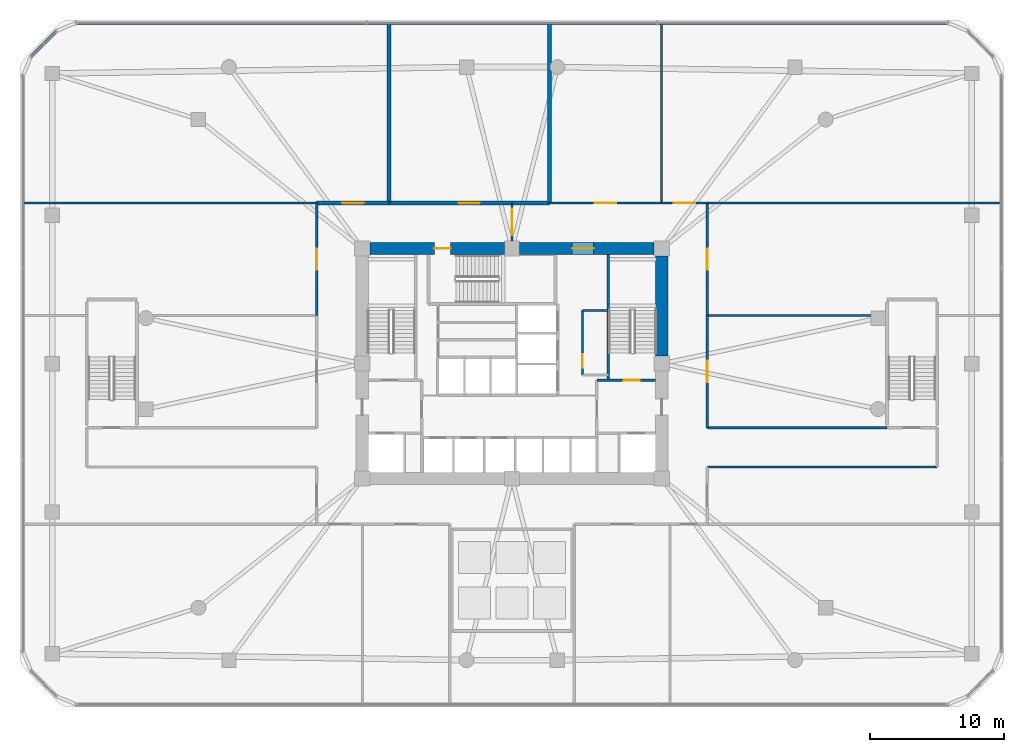
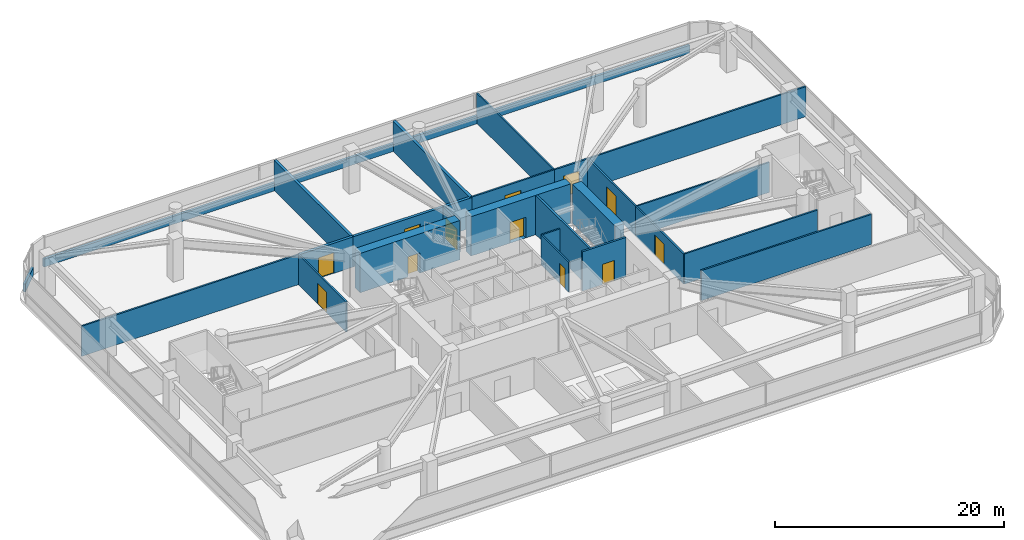
# One storey, part 18 of 21: 25 walls, 12 doors, 12 openings.
"""IFC4 building model written with IfcOpenShell, lengths in metres."""

import ifcopenshell
import ifcopenshell.guid

model = None  # the IFC model being written
_history = None  # IfcOwnerHistory: only IFC2X3 demands one
_inside = {}  # id of a spatial element -> (the spatial element, [elements in it])
_under = {}  # id of a project, library or spatial element -> (it, [spatial elements below it])
_declared = {}  # id of a project -> (the project, [libraries it declares])
_typed = {}  # id of a type object -> (the type object, [elements of that type])
_made_of = {}  # id of a material, layer set ... -> (it, [elements and type objects made of it])


def new_model(schema):
    """Start an empty IFC model of exactly this schema.

    Asked for "IFC4X3", IfcOpenShell would pick the latest addendum, in which some entities
    have other attributes; the version numbers below select the first issue.
    IFC2X3 requires an IfcOwnerHistory on every rooted entity: one is made here for all.
    """
    global model, _history
    if schema == "IFC4X3":
        model = ifcopenshell.file(schema_version=(4, 3, 0, 0))
    else:
        model = ifcopenshell.file(schema=schema)
    _inside.clear()
    _under.clear()
    _declared.clear()
    _typed.clear()
    _made_of.clear()
    _history = None
    if model.schema == "IFC2X3":
        org = make("IfcOrganization", Name="unknown")
        user = make(
            "IfcPersonAndOrganization",
            ThePerson=make("IfcPerson", FamilyName="unknown"),
            TheOrganization=org,
        )
        app = make(
            "IfcApplication",
            ApplicationDeveloper=org,
            Version="unknown",
            ApplicationFullName="unknown",
            ApplicationIdentifier="unknown",
        )
        _history = make(
            "IfcOwnerHistory",
            OwningUser=user,
            OwningApplication=app,
            ChangeAction="ADDED",
            CreationDate=0,
        )
    return model


def make(cls, **values):
    """One entity of the class cls with the attributes given. An attribute that is None is left unset."""
    return model.create_entity(
        cls, **{name: value for name, value in values.items() if value is not None}
    )


def rooted(cls, **values):
    """An entity with a GlobalId (a new one), such as an element, a storey or a relation."""
    return make(cls, GlobalId=ifcopenshell.guid.new(), OwnerHistory=_history, **values)


def si_unit(unit_type, name, prefix=None):
    """IfcSIUnit, for example si_unit("LENGTHUNIT", "METRE", prefix="MILLI")."""
    return make("IfcSIUnit", UnitType=unit_type, Prefix=prefix, Name=name)


def derived_unit(unit_type, elements):
    """IfcDerivedUnit: a product of units, each with its exponent."""
    return make(
        "IfcDerivedUnit",
        Elements=[
            make("IfcDerivedUnitElement", Unit=unit, Exponent=power)
            for unit, power in elements
        ],
        UnitType=unit_type,
    )


def assignment(units):
    """IfcUnitAssignment: the units of a project."""
    return None if units is None else make("IfcUnitAssignment", Units=units)


def point(xyz):
    """IfcCartesianPoint."""
    return None if xyz is None else make("IfcCartesianPoint", Coordinates=xyz)


def direction(xyz):
    """IfcDirection."""
    return None if xyz is None else make("IfcDirection", DirectionRatios=xyz)


def frame(location, z_axis=None, x_axis=None):
    """IfcAxis2Placement3D, a coordinate frame: its origin and axes. An axis left out is left unset."""
    return make(
        "IfcAxis2Placement3D",
        Location=point(location),
        Axis=direction(z_axis),
        RefDirection=direction(x_axis),
    )


def frame_2d(location, x_axis=None):
    """IfcAxis2Placement2D, a coordinate frame in the plane: its origin and x axis."""
    return make(
        "IfcAxis2Placement2D", Location=point(location), RefDirection=direction(x_axis)
    )


def origin():
    """The frame at (0, 0, 0) with its axes left unset."""
    return frame((0.0, 0.0, 0.0))


def place(relative_to, where):
    """IfcLocalPlacement: puts the frame where relative to a parent placement (None: the world)."""
    return make(
        "IfcLocalPlacement", PlacementRelTo=relative_to, RelativePlacement=where
    )


def context(
    kind, dimensions, precision=None, world=None, true_north=None, identifier=None
):
    """IfcGeometricRepresentationContext, for example the 3D "Model" context."""
    return make(
        "IfcGeometricRepresentationContext",
        ContextIdentifier=identifier,
        ContextType=kind,
        CoordinateSpaceDimension=dimensions,
        Precision=precision,
        WorldCoordinateSystem=world,
        TrueNorth=true_north,
    )


def subcontext(parent, identifier, kind, view, scale=None):
    """IfcGeometricRepresentationSubContext, for example "Body" below "Model"."""
    return make(
        "IfcGeometricRepresentationSubContext",
        ContextIdentifier=identifier,
        ContextType=kind,
        ParentContext=parent,
        TargetScale=scale,
        TargetView=view,
    )


def project(units=None, contexts=None):
    """IfcProject with its units and contexts."""
    return rooted(
        "IfcProject",
        Name="project",
        RepresentationContexts=contexts,
        UnitsInContext=assignment(units),
    )


def spatial(cls, under=None, at=None, **own):
    """A site, building, storey or space (cls), placed at a placement, below another one or the project."""
    s = rooted(cls, ObjectPlacement=at, **own)
    if under is not None:
        _under.setdefault(under.id(), (under, []))[1].append(s)
    return s


def profile(cls, at=None, kind="AREA", **sizes):
    """A parametric profile (cls). Its sizes go by their IFC names, for example OverallWidth=200.0."""
    return make(cls, ProfileType=kind, Position=at, **sizes)


def rectangle(**sizes):
    """IfcRectangleProfileDef."""
    return profile("IfcRectangleProfileDef", **sizes)


def extrude(swept, where, along, depth):
    """IfcExtrudedAreaSolid: the profile swept, set in the frame where, extruded along a direction by depth."""
    return make(
        "IfcExtrudedAreaSolid",
        SweptArea=swept,
        Position=where,
        ExtrudedDirection=direction(along),
        Depth=depth,
    )


def shape(context_of_items, identifier, shape_type, items):
    """IfcShapeRepresentation: the items that make up one representation, for example the "Body"."""
    return make(
        "IfcShapeRepresentation",
        ContextOfItems=context_of_items,
        RepresentationIdentifier=identifier,
        RepresentationType=shape_type,
        Items=items,
    )


def material(Name=None, Category=None):
    """IfcMaterial."""
    return make("IfcMaterial", Name=Name, Category=Category)


def layer(
    of_material, thickness, ventilated=None, Name=None, Category=None, Priority=None
):
    """IfcMaterialLayer: one layer of a wall or slab, of a material (None: an air gap)."""
    return make(
        "IfcMaterialLayer",
        Material=of_material,
        LayerThickness=thickness,
        IsVentilated=ventilated,
        Name=Name,
        Category=Category,
        Priority=Priority,
    )


def layer_set(layers, Name=None):
    """IfcMaterialLayerSet."""
    return make("IfcMaterialLayerSet", MaterialLayers=layers, LayerSetName=Name)


def made_of(thing, what):
    """Note that an element or type object is made of a material, layer set ...; save() writes the relation."""
    if what is not None:
        _made_of.setdefault(what.id(), (what, []))[1].append(thing)
    return thing


def type_object(cls, material=None, **own):
    """A type object (cls), such as IfcWallType, which elements share."""
    return made_of(rooted(cls, **own), material)


def element(
    cls,
    number,
    at=None,
    inside=None,
    cuts=None,
    type_object=None,
    material=None,
    context=None,
    identifier="Body",
    shape_type=None,
    held_by="IfcProductDefinitionShape",
    body=None,
    shapes=None,
    **own,
):
    """One element of the class cls, such as IfcWall. Its Tag is "e" and its number.

    at: its placement. inside: the storey or other place that contains it. cuts: it is an
    opening in that element (IfcRelVoidsElement). A single representation is given by context,
    identifier, shape_type and body (its items); several are given by shapes. held_by: the class
    of the entity that holds the representations. save() writes the other relations.
    """
    e = rooted(cls, Tag="e%d" % number, ObjectPlacement=at, **own)
    if body is not None:
        shapes = [shape(context, identifier, shape_type, body)]
    if shapes is not None:
        e.Representation = make(held_by, Representations=shapes)
    if inside is not None:
        _inside.setdefault(inside.id(), (inside, []))[1].append(e)
    if cuts is not None:
        rooted(
            "IfcRelVoidsElement", RelatingBuildingElement=cuts, RelatedOpeningElement=e
        )
    if type_object is not None:
        _typed.setdefault(type_object.id(), (type_object, []))[1].append(e)
    return made_of(e, material)


def fill(opening, filler):
    """IfcRelFillsElement: the door or window that sits in an opening."""
    return rooted(
        "IfcRelFillsElement",
        RelatingOpeningElement=opening,
        RelatedBuildingElement=filler,
    )


def aggregate(whole, parts):
    """IfcRelAggregates: a whole, such as a stair, and the parts it consists of."""
    return rooted("IfcRelAggregates", RelatingObject=whole, RelatedObjects=parts)


def save(model, path):
    """Write the relations noted so far, then the file.

    IfcRelAggregates (storeys below a building ...), IfcRelContainedInSpatialStructure (elements
    in a storey), IfcRelDefinesByType, IfcRelAssociatesMaterial and IfcRelDeclares: one each for
    every whole, place, type object, material and project.
    """
    for whole, parts in _under.values():
        aggregate(whole, parts)
    for where, things in _inside.values():
        rooted(
            "IfcRelContainedInSpatialStructure",
            RelatedElements=things,
            RelatingStructure=where,
        )
    for kind, things in _typed.values():
        rooted("IfcRelDefinesByType", RelatedObjects=things, RelatingType=kind)
    for what, things in _made_of.values():
        rooted("IfcRelAssociatesMaterial", RelatedObjects=things, RelatingMaterial=what)
    for by, libraries in _declared.values():
        rooted("IfcRelDeclares", RelatingContext=by, RelatedDefinitions=libraries)
    model.write(path)


model = new_model("IFC4")

# Units and contexts
model_context = context("Model", 3, precision=1e-05, world=origin(), true_north=direction((0.0, 1.0)))
body_context = subcontext(model_context, "Body", "Model", "MODEL_VIEW")
ifc_project = project(units=[si_unit("LENGTHUNIT", "METRE"), si_unit("AREAUNIT", "SQUARE_METRE"), si_unit("VOLUMEUNIT", "CUBIC_METRE"), si_unit("PLANEANGLEUNIT", "RADIAN"), si_unit("MASSUNIT", "GRAM", prefix="KILO"), derived_unit("THERMALTRANSMITTANCEUNIT", [(si_unit("POWERUNIT", "WATT"), 1), (si_unit("LENGTHUNIT", "METRE"), -2), (si_unit("THERMODYNAMICTEMPERATUREUNIT", "KELVIN"), -1)])], contexts=[model_context])

# Site, building, storey
site_placement = place(None, origin())
site = spatial("IfcSite", under=ifc_project, at=site_placement, CompositionType="ELEMENT")
building_placement = place(site_placement, origin())
building = spatial("IfcBuilding", under=site, at=building_placement, Name="Koralith Skygarden Medical Center", CompositionType="ELEMENT")
storey_placement = place(building_placement, frame((0.0, 0.0, 9.89990234375)))
storey = spatial("IfcBuildingStorey", under=building, at=storey_placement, Name="L02", CompositionType="ELEMENT", Elevation=9.89990234375)

# Wall, opening, door
ifc_material_1 = material(Name="Gypsum Board Partition")
ifc_layer_1 = layer(ifc_material_1, 0.14990234375)
ifc_layer_set_1 = layer_set([ifc_layer_1], Name="Gypsum Board Partition")
wall_type_1 = type_object("IfcWallType", Name="Clinical Acoustic Partition 150", PredefinedType="PARTITIONING", material=ifc_layer_set_1)
wall_1_placement = place(storey_placement, frame((42.27001953125, 25.0400390625, 0.0), z_axis=(0.0, 0.0, 1.0), x_axis=(0.0, 1.0, 0.0)))
wall_1 = element("IfcWall", 1, at=wall_1_placement, inside=storey, type_object=wall_type_1, Name="L02 Clinical Acoustic Partition 150 W-CORE-L02-ESUB-W", PredefinedType="PARTITIONING", context=body_context, shape_type="SweptSolid", body=[
    extrude(rectangle(XDim=4.820068359375, YDim=0.14990234375, at=frame_2d((2.41015625, 0.0))), origin(), (0.0, 0.0, 1.0), 3.210205078125),
])
opening_1_placement = place(wall_1_placement, frame((0.550048828125, 0.0, 0.0)))
opening_1 = element("IfcOpeningElement", 2, at=opening_1_placement, cuts=wall_1, Name="Opening D-SUP", PredefinedType="OPENING", context=body_context, shape_type="SweptSolid", body=[
    extrude(rectangle(XDim=1.0, YDim=2.14990234375, at=frame_2d((0.5, 1.074951171875))), frame((0.0, 0.0849609375, 0.0), z_axis=(0.0, -1.0, 0.0), x_axis=(1.0, 0.0, 0.0)), (0.0, 0.0, 1.0), 0.169921875),
])
ifc_material_2 = material(Name="Aluminium 6063-T6", Category="aluminium")
door_type_1 = type_object("IfcDoorType", Name="Clinical Support Door D-SUP 1000", OperationType="NOTDEFINED", PredefinedType="DOOR", material=ifc_material_2)
door_1_placement = place(opening_1_placement, origin())
door_1 = element("IfcDoor", 3, at=door_1_placement, inside=storey, type_object=door_type_1, Name="L02 Core Equipment Store Door", OperationType="SINGLE_SWING_LEFT", OverallHeight=2.14990234375, OverallWidth=1.0, PredefinedType="DOOR", context=body_context, shape_type="SweptSolid", body=[
    extrude(rectangle(XDim=1.0, YDim=2.14990234375, at=frame_2d((0.5, 1.074951171875))), frame((0.0, 0.02490234375, 0.0), z_axis=(0.0, -1.0, 0.0), x_axis=(1.0, 0.0, 0.0)), (0.0, 0.0, 1.0), 0.050048828125),
])
fill(opening_1, door_1)

# Walls
wall_2_placement = place(storey_placement, frame((42.27001953125, 29.860107421875, 0.0), z_axis=(0.0, 0.0, 1.0), x_axis=(1.0, 0.0, 0.0)))
element("IfcWall", 4, at=wall_2_placement, inside=storey, type_object=wall_type_1, Name="L02 Clinical Acoustic Partition 150 W-CORE-L02-ESUB-N", PredefinedType="PARTITIONING", context=body_context, shape_type="SweptSolid", body=[
    extrude(rectangle(XDim=1.929931640625, YDim=0.14990234375, at=frame_2d((0.96484375, 0.0))), origin(), (0.0, 0.0, 1.0), 3.210205078125),
])
wall_3_placement = place(storey_placement, frame((48.199951171875, 37.909912109375, 0.0), z_axis=(0.0, 0.0, 1.0), x_axis=(0.0, 1.0, 0.0)))
element("IfcWall", 5, at=wall_3_placement, inside=storey, type_object=wall_type_1, Name="L02 Clinical Acoustic Partition 150 W-PDPART-L02-N-3", PredefinedType="PARTITIONING", context=body_context, shape_type="SweptSolid", body=[
    extrude(rectangle(XDim=13.4501953125, YDim=0.14990234375, at=frame_2d((6.72509765625, 0.0))), origin(), (0.0, 0.0, 1.0), 3.210205078125),
])
wall_4_placement = place(storey_placement, frame((51.610107421875, 29.5, 0.0), z_axis=(0.0, 0.0, 1.0), x_axis=(1.0, 0.0, 0.0)))
element("IfcWall", 6, at=wall_4_placement, inside=storey, type_object=wall_type_1, Name="L02 Clinical Acoustic Partition 150 W-PDPART-L02-E-NA", PredefinedType="PARTITIONING", context=body_context, shape_type="SweptSolid", body=[
    extrude(rectangle(XDim=13.43994140625, YDim=0.14990234375, at=frame_2d((6.719970703125, 0.0))), origin(), (0.0, 0.0, 1.0), 3.210205078125),
])
ifc_layer_2 = layer(ifc_material_1, 0.1650390625)
ifc_layer_set_2 = layer_set([ifc_layer_2], Name="Gypsum Board Partition")
wall_type_2 = type_object("IfcWallType", Name="Clinical Corridor Partition 165", PredefinedType="PARTITIONING", material=ifc_layer_set_2)
for number, where, z_axis, x_axis, name in (
    (7, (0.43994140625, 37.909912109375, 0.0), (0.0, 0.0, 1.0), (1.0, 0.0, 0.0), "L02 Clinical Corridor Partition 165 W-WB-L02-NW"),
    (8, (51.610107421875, 37.909912109375, 0.0), (0.0, 0.0, 1.0), (1.0, 0.0, 0.0), "L02 Clinical Corridor Partition 165 W-WB-L02-NE"),
):
    element("IfcWall", number, at=place(storey_placement, frame(where, z_axis=z_axis, x_axis=x_axis)), inside=storey, type_object=wall_type_2, Name=name, PredefinedType="PARTITIONING", context=body_context, shape_type="SweptSolid", body=[
        extrude(rectangle(XDim=21.949951171875, YDim=0.1650390625, at=frame_2d((10.97509765625, 0.0))), origin(), (0.0, 0.0, 1.0), 3.210205078125),
    ])
wall_5_placement = place(storey_placement, frame((51.610107421875, 18.169921875, 0.0), z_axis=(0.0, 0.0, 1.0), x_axis=(1.0, 0.0, 0.0)))
element("IfcWall", 9, at=wall_5_placement, inside=storey, type_object=wall_type_2, Name="L02 Clinical Corridor Partition 165 W-PARM-L02-ES", PredefinedType="PARTITIONING", context=body_context, shape_type="SweptSolid", body=[
    extrude(rectangle(XDim=17.18994140625, YDim=0.1650390625, at=frame_2d((8.594970703125, 0.0))), origin(), (0.0, 0.0, 1.0), 3.210205078125),
])
wall_6_placement = place(storey_placement, frame((51.610107421875, 21.10009765625, 0.0), z_axis=(0.0, 0.0, 1.0), x_axis=(1.0, 0.0, 0.0)))
element("IfcWall", 10, at=wall_6_placement, inside=storey, type_object=wall_type_2, Name="L02 Clinical Corridor Partition 165 W-PARM-L02-EN", PredefinedType="PARTITIONING", context=body_context, shape_type="SweptSolid", body=[
    extrude(rectangle(XDim=13.43994140625, YDim=0.1650390625, at=frame_2d((6.719970703125, 0.0))), origin(), (0.0, 0.0, 1.0), 3.210205078125),
])

# Wall, opening, door
wall_7_placement = place(storey_placement, frame((39.800048828125, 37.909912109375, 0.0), z_axis=(0.0, 0.0, 1.0), x_axis=(1.0, 0.0, 0.0)))
wall_7 = element("IfcWall", 11, at=wall_7_placement, inside=storey, type_object=wall_type_2, Name="L02 Clinical Corridor Partition 165 W-PDCOR-L02-N-3", PredefinedType="PARTITIONING", context=body_context, shape_type="SweptSolid", body=[
    extrude(rectangle(XDim=8.39990234375, YDim=0.1650390625, at=frame_2d((4.199951171875, 0.0))), origin(), (0.0, 0.0, 1.0), 3.210205078125),
])
opening_2_placement = place(wall_7_placement, frame((3.39990234375, 0.0, 0.0)))
opening_2 = element("IfcOpeningElement", 12, at=opening_2_placement, cuts=wall_7, Name="Opening D-DBL", PredefinedType="OPENING", context=body_context, shape_type="SweptSolid", body=[
    extrude(rectangle(XDim=1.60009765625, YDim=2.199951171875, at=frame_2d((0.800048828125, 1.10009765625))), frame((0.0, 0.092529296875, 0.0), z_axis=(0.0, -1.0, 0.0), x_axis=(1.0, 0.0, 0.0)), (0.0, 0.0, 1.0), 0.18505859375),
])
door_type_2 = type_object("IfcDoorType", Name="Double Clinical Suite Door D-DBL 1600", OperationType="NOTDEFINED", PredefinedType="DOOR", material=ifc_material_2)
door_2_placement = place(opening_2_placement, origin())
door_2 = element("IfcDoor", 13, at=door_2_placement, inside=storey, type_object=door_type_2, Name="L02 Diagnostic Dual-Source CT Suite Door", OperationType="DOUBLE_DOOR_SINGLE_SWING", OverallHeight=2.199951171875, OverallWidth=1.60009765625, PredefinedType="DOOR", context=body_context, shape_type="SweptSolid", body=[
    extrude(rectangle(XDim=1.60009765625, YDim=2.199951171875, at=frame_2d((0.800048828125, 1.10009765625))), frame((0.0, 0.02490234375, 0.0), z_axis=(0.0, -1.0, 0.0), x_axis=(1.0, 0.0, 0.0)), (0.0, 0.0, 1.0), 0.050048828125),
])
fill(opening_2, door_2)

wall_8_placement = place(storey_placement, frame((48.199951171875, 37.909912109375, 0.0), z_axis=(0.0, 0.0, 1.0), x_axis=(1.0, 0.0, 0.0)))
wall_8 = element("IfcWall", 14, at=wall_8_placement, inside=storey, type_object=wall_type_2, Name="L02 Clinical Corridor Partition 165 W-PDCOR-L02-N-4", PredefinedType="PARTITIONING", context=body_context, shape_type="SweptSolid", body=[
    extrude(rectangle(XDim=3.41015625, YDim=0.1650390625, at=frame_2d((1.705078125, 0.0))), origin(), (0.0, 0.0, 1.0), 3.210205078125),
])
opening_3_placement = place(wall_8_placement, frame((0.905029296875, 0.0, 0.0)))
opening_3 = element("IfcOpeningElement", 15, at=opening_3_placement, cuts=wall_8, Name="Opening D-DBL", PredefinedType="OPENING", context=body_context, shape_type="SweptSolid", body=[
    extrude(rectangle(XDim=1.60009765625, YDim=2.199951171875, at=frame_2d((0.800048828125, 1.10009765625))), frame((0.0, 0.092529296875, 0.0), z_axis=(0.0, -1.0, 0.0), x_axis=(1.0, 0.0, 0.0)), (0.0, 0.0, 1.0), 0.18505859375),
])
door_3_placement = place(opening_3_placement, origin())
door_3 = element("IfcDoor", 16, at=door_3_placement, inside=storey, type_object=door_type_2, Name="L02 Radiology Reading Office Door", OperationType="DOUBLE_DOOR_SINGLE_SWING", OverallHeight=2.199951171875, OverallWidth=1.60009765625, PredefinedType="DOOR", context=body_context, shape_type="SweptSolid", body=[
    extrude(rectangle(XDim=1.60009765625, YDim=2.199951171875, at=frame_2d((0.800048828125, 1.10009765625))), frame((0.0, 0.02490234375, 0.0), z_axis=(0.0, -1.0, 0.0), x_axis=(1.0, 0.0, 0.0)), (0.0, 0.0, 1.0), 0.050048828125),
])
fill(opening_3, door_3)

wall_9_placement = place(storey_placement, frame((22.389892578125, 29.5, 0.0), z_axis=(0.0, 0.0, 1.0), x_axis=(0.0, 1.0, 0.0)))
wall_9 = element("IfcWall", 17, at=wall_9_placement, inside=storey, type_object=wall_type_2, Name="L02 Clinical Corridor Partition 165 W-PDCOR-L02-W-3", PredefinedType="PARTITIONING", context=body_context, shape_type="SweptSolid", body=[
    extrude(rectangle(XDim=8.409912109375, YDim=0.1650390625, at=frame_2d((4.205078125, 0.0))), origin(), (0.0, 0.0, 1.0), 3.210205078125),
])
opening_4_placement = place(wall_9_placement, frame((3.405029296875, 0.0, 0.0)))
opening_4 = element("IfcOpeningElement", 18, at=opening_4_placement, cuts=wall_9, Name="Opening D-DBL", PredefinedType="OPENING", context=body_context, shape_type="SweptSolid", body=[
    extrude(rectangle(XDim=1.60009765625, YDim=2.199951171875, at=frame_2d((0.800048828125, 1.10009765625))), frame((0.0, 0.092529296875, 0.0), z_axis=(0.0, -1.0, 0.0), x_axis=(1.0, 0.0, 0.0)), (0.0, 0.0, 1.0), 0.18505859375),
])
door_4_placement = place(opening_4_placement, frame((1.60009765625, 0.0, 0.0), z_axis=(0.0, 0.0, 1.0), x_axis=(-1.0, 0.0, 0.0)))
door_4 = element("IfcDoor", 19, at=door_4_placement, inside=storey, type_object=door_type_2, Name="L02 Radiology PACS Reading Office Door", OperationType="DOUBLE_DOOR_SINGLE_SWING", OverallHeight=2.199951171875, OverallWidth=1.60009765625, PredefinedType="DOOR", context=body_context, shape_type="SweptSolid", body=[
    extrude(rectangle(XDim=1.60009765625, YDim=2.199951171875, at=frame_2d((0.800048828125, 1.10009765625))), frame((0.0, 0.02490234375, 0.0), z_axis=(0.0, -1.0, 0.0), x_axis=(1.0, 0.0, 0.0)), (0.0, 0.0, 1.0), 0.050048828125),
])
fill(opening_4, door_4)

wall_10_placement = place(storey_placement, frame((51.610107421875, 21.10009765625, 0.0), z_axis=(0.0, 0.0, 1.0), x_axis=(0.0, 1.0, 0.0)))
wall_10 = element("IfcWall", 20, at=wall_10_placement, inside=storey, type_object=wall_type_2, Name="L02 Clinical Corridor Partition 165 W-PDCOR-L02-E-2", PredefinedType="PARTITIONING", context=body_context, shape_type="SweptSolid", body=[
    extrude(rectangle(XDim=8.39990234375, YDim=0.1650390625, at=frame_2d((4.199951171875, 0.0))), origin(), (0.0, 0.0, 1.0), 3.210205078125),
])
opening_5_placement = place(wall_10_placement, frame((3.39990234375, 0.0, 0.0)))
opening_5 = element("IfcOpeningElement", 21, at=opening_5_placement, cuts=wall_10, Name="Opening D-DBL", PredefinedType="OPENING", context=body_context, shape_type="SweptSolid", body=[
    extrude(rectangle(XDim=1.60009765625, YDim=2.199951171875, at=frame_2d((0.800048828125, 1.10009765625))), frame((0.0, 0.092529296875, 0.0), z_axis=(0.0, -1.0, 0.0), x_axis=(1.0, 0.0, 0.0)), (0.0, 0.0, 1.0), 0.18505859375),
])
door_5_placement = place(opening_5_placement, origin())
door_5 = element("IfcDoor", 22, at=door_5_placement, inside=storey, type_object=door_type_2, Name="L02 Radiology Staff Seminar Room Door", OperationType="DOUBLE_DOOR_SINGLE_SWING", OverallHeight=2.199951171875, OverallWidth=1.60009765625, PredefinedType="DOOR", context=body_context, shape_type="SweptSolid", body=[
    extrude(rectangle(XDim=1.60009765625, YDim=2.199951171875, at=frame_2d((0.800048828125, 1.10009765625))), frame((0.0, 0.02490234375, 0.0), z_axis=(0.0, -1.0, 0.0), x_axis=(1.0, 0.0, 0.0)), (0.0, 0.0, 1.0), 0.050048828125),
])
fill(opening_5, door_5)

wall_11_placement = place(storey_placement, frame((51.610107421875, 29.5, 0.0), z_axis=(0.0, 0.0, 1.0), x_axis=(0.0, 1.0, 0.0)))
wall_11 = element("IfcWall", 23, at=wall_11_placement, inside=storey, type_object=wall_type_2, Name="L02 Clinical Corridor Partition 165 W-PDCOR-L02-E-3", PredefinedType="PARTITIONING", context=body_context, shape_type="SweptSolid", body=[
    extrude(rectangle(XDim=8.409912109375, YDim=0.1650390625, at=frame_2d((4.205078125, 0.0))), origin(), (0.0, 0.0, 1.0), 3.210205078125),
])
opening_6_placement = place(wall_11_placement, frame((3.405029296875, 0.0, 0.0)))
opening_6 = element("IfcOpeningElement", 24, at=opening_6_placement, cuts=wall_11, Name="Opening D-DBL", PredefinedType="OPENING", context=body_context, shape_type="SweptSolid", body=[
    extrude(rectangle(XDim=1.60009765625, YDim=2.199951171875, at=frame_2d((0.800048828125, 1.10009765625))), frame((0.0, 0.092529296875, 0.0), z_axis=(0.0, -1.0, 0.0), x_axis=(1.0, 0.0, 0.0)), (0.0, 0.0, 1.0), 0.18505859375),
])
door_6_placement = place(opening_6_placement, origin())
door_6 = element("IfcDoor", 25, at=door_6_placement, inside=storey, type_object=door_type_2, Name="L02 Contrast Pharmacy Prep Room Door", OperationType="DOUBLE_DOOR_SINGLE_SWING", OverallHeight=2.199951171875, OverallWidth=1.60009765625, PredefinedType="DOOR", context=body_context, shape_type="SweptSolid", body=[
    extrude(rectangle(XDim=1.60009765625, YDim=2.199951171875, at=frame_2d((0.800048828125, 1.10009765625))), frame((0.0, 0.02490234375, 0.0), z_axis=(0.0, -1.0, 0.0), x_axis=(1.0, 0.0, 0.0)), (0.0, 0.0, 1.0), 0.050048828125),
])
fill(opening_6, door_6)

ifc_layer_3 = layer(ifc_material_1, 0.179931640625)
ifc_layer_set_3 = layer_set([ifc_layer_3], Name="Gypsum Board Partition")
wall_type_3 = type_object("IfcWallType", Name="Group I-2 Smoke Barrier Wall 180", PredefinedType="PARTITIONING", material=ifc_layer_set_3)
wall_12_placement = place(storey_placement, frame((37.0, 35.080078125, 0.0), z_axis=(0.0, 0.0, 1.0), x_axis=(0.0, 1.0, 0.0)))
wall_12 = element("IfcWall", 26, at=wall_12_placement, inside=storey, type_object=wall_type_3, Name="L02 Group I-2 Smoke Barrier Wall 180 W-PSMK-L02-N", PredefinedType="PARTITIONING", context=body_context, shape_type="SweptSolid", body=[
    extrude(rectangle(XDim=2.829833984375, YDim=0.179931640625, at=frame_2d((1.4150390625, 0.0))), origin(), (0.0, 0.0, 1.0), 3.210205078125),
])
opening_7_placement = place(wall_12_placement, frame((0.4150390625, 0.0, 0.0)))
opening_7 = element("IfcOpeningElement", 27, at=opening_7_placement, cuts=wall_12, Name="Opening D-SMK", PredefinedType="OPENING", context=body_context, shape_type="SweptSolid", body=[
    extrude(rectangle(XDim=2.0, YDim=2.199951171875, at=frame_2d((1.0, 1.10009765625))), frame((0.0, 0.099853515625, 0.0), z_axis=(0.0, -1.0, 0.0), x_axis=(1.0, 0.0, 0.0)), (0.0, 0.0, 1.0), 0.199951171875),
])
ifc_material_3 = material(Name="Steel ASTM A500 Grade C", Category="steel")
door_type_3 = type_object("IfcDoorType", Name="Cross-Corridor Double Smoke Door FD60S 2000", OperationType="NOTDEFINED", PredefinedType="DOOR", material=ifc_material_3)
door_7_placement = place(opening_7_placement, origin())
door_7 = element("IfcDoor", 28, at=door_7_placement, inside=storey, type_object=door_type_3, Name="L02 N Podium Smoke Door", OperationType="DOUBLE_DOOR_SINGLE_SWING", OverallHeight=2.199951171875, OverallWidth=2.0, PredefinedType="DOOR", context=body_context, shape_type="SweptSolid", body=[
    extrude(rectangle(XDim=2.0, YDim=2.199951171875, at=frame_2d((1.0, 1.10009765625))), frame((0.0, 0.02490234375, 0.0), z_axis=(0.0, -1.0, 0.0), x_axis=(1.0, 0.0, 0.0)), (0.0, 0.0, 1.0), 0.050048828125),
])
fill(opening_7, door_7)

# Walls
ifc_material_4 = material(Name="Warm Oolitic Limestone Cladding", Category="masonry")
ifc_layer_4 = layer(ifc_material_4, 0.239990234375)
ifc_layer_set_4 = layer_set([ifc_layer_4], Name="Warm Oolitic Limestone Cladding")
wall_type_4 = type_object("IfcWallType", Name="Limestone Spandrel Sill Backup Wall 240", PredefinedType="SOLIDWALL", material=ifc_layer_set_4)
wall_13_placement = place(storey_placement, frame((69.62109375, 51.3798828125, 0.0), z_axis=(0.0, 0.0, 1.0), x_axis=(-1.0, 0.0, 0.0)))
element("IfcWall", 29, at=wall_13_placement, inside=storey, type_object=wall_type_4, Name="L02 Sill Spandrel Wall N", PredefinedType="SOLIDWALL", context=body_context, shape_type="SweptSolid", body=[
    extrude(rectangle(XDim=65.2421875, YDim=0.239990234375, at=frame_2d((32.62109375, 0.0))), origin(), (0.0, 0.0, 1.0), 0.85009765625),
])
wall_14_placement = place(storey_placement, frame((2.927978515625, 50.779052734375, 0.0), z_axis=(0.0, 0.0, 1.0), x_axis=(-0.707106781187, -0.707106781187, 0.0)))
element("IfcWall", 30, at=wall_14_placement, inside=storey, type_object=wall_type_4, Name="L02 Sill Spandrel Wall NW", PredefinedType="SOLIDWALL", context=body_context, shape_type="SweptSolid", body=[
    extrude(rectangle(XDim=2.69677734375, YDim=0.239990234375, at=frame_2d((1.348388671875, 0.0))), origin(), (0.0, 0.0, 1.0), 0.85009765625),
])
ifc_material_5 = material(Name="Concrete C70/85", Category="concrete")
ifc_layer_5 = layer(ifc_material_5, 0.89990234375)
ifc_layer_set_5 = layer_set([ifc_layer_5], Name="Concrete C70/85")
wall_type_5 = type_object("IfcWallType", Name="Lower Core Shear Wall 900", PredefinedType="SHEAR", material=ifc_layer_set_5)
wall_15_placement = place(storey_placement, frame((48.199951171875, 26.465087890625, 0.0), z_axis=(0.0, 0.0, 1.0), x_axis=(0.0, 1.0, 0.0)))
element("IfcWall", 31, at=wall_15_placement, inside=storey, type_object=wall_type_5, Name="L02 Core Shear Wall Segment 4", PredefinedType="SHEAR", context=body_context, shape_type="SweptSolid", body=[
    extrude(rectangle(XDim=7.469970703125, YDim=0.89990234375, at=frame_2d((3.73486328125, 0.0))), origin(), (0.0, 0.0, 1.0), 4.2001953125),
])

# Wall, opening, door
wall_16_placement = place(storey_placement, frame((47.635009765625, 34.5, 0.0), z_axis=(0.0, 0.0, 1.0), x_axis=(-1.0, 0.0, 0.0)))
wall_16 = element("IfcWall", 32, at=wall_16_placement, inside=storey, type_object=wall_type_5, Name="L02 Core Shear Wall Segment 5", PredefinedType="SHEAR", context=body_context, shape_type="SweptSolid", body=[
    extrude(rectangle(XDim=10.070068359375, YDim=0.89990234375, at=frame_2d((5.03515625, 0.0))), origin(), (0.0, 0.0, 1.0), 4.2001953125),
])
opening_8_placement = place(wall_16_placement, frame((4.534912109375, 0.0, 0.0)))
opening_8 = element("IfcOpeningElement", 33, at=opening_8_placement, cuts=wall_16, Name="Opening D-DBL", PredefinedType="OPENING", context=body_context, shape_type="SweptSolid", body=[
    extrude(rectangle(XDim=1.60009765625, YDim=2.199951171875, at=frame_2d((0.800048828125, 1.10009765625))), frame((0.0, 0.4599609375, 0.0), z_axis=(0.0, -1.0, 0.0), x_axis=(1.0, 0.0, 0.0)), (0.0, 0.0, 1.0), 0.919921875),
])
door_8_placement = place(opening_8_placement, frame((1.60009765625, 0.0, 0.0), z_axis=(0.0, 0.0, 1.0), x_axis=(-1.0, 0.0, 0.0)))
door_8 = element("IfcDoor", 34, at=door_8_placement, inside=storey, type_object=door_type_2, Name="L02 North-East Corridor to Elevator Lobby Door", OperationType="DOUBLE_DOOR_SINGLE_SWING", OverallHeight=2.199951171875, OverallWidth=1.60009765625, PredefinedType="DOOR", context=body_context, shape_type="SweptSolid", body=[
    extrude(rectangle(XDim=1.60009765625, YDim=2.199951171875, at=frame_2d((0.800048828125, 1.10009765625))), frame((0.0, 0.02490234375, 0.0), z_axis=(0.0, -1.0, 0.0), x_axis=(1.0, 0.0, 0.0)), (0.0, 0.0, 1.0), 0.050048828125),
])
fill(opening_8, door_8)

wall_17_placement = place(storey_placement, frame((36.43505859375, 34.5, 0.0), z_axis=(0.0, 0.0, 1.0), x_axis=(-1.0, 0.0, 0.0)))
wall_17 = element("IfcWall", 35, at=wall_17_placement, inside=storey, type_object=wall_type_5, Name="L02 Core Shear Wall Segment 6", PredefinedType="SHEAR", context=body_context, shape_type="SweptSolid", body=[
    extrude(rectangle(XDim=10.070068359375, YDim=0.89990234375, at=frame_2d((5.03515625, 0.0))), origin(), (0.0, 0.0, 1.0), 4.2001953125),
])
opening_9_placement = place(wall_17_placement, frame((4.034912109375, 0.0, 0.0)))
opening_9 = element("IfcOpeningElement", 36, at=opening_9_placement, cuts=wall_17, Name="Opening D-ST60", PredefinedType="OPENING", context=body_context, shape_type="SweptSolid", body=[
    extrude(rectangle(XDim=1.199951171875, YDim=2.14990234375, at=frame_2d((0.60009765625, 1.074951171875))), frame((0.0, 0.4599609375, 0.0), z_axis=(0.0, -1.0, 0.0), x_axis=(1.0, 0.0, 0.0)), (0.0, 0.0, 1.0), 0.919921875),
])
door_type_4 = type_object("IfcDoorType", Name="Smokeproof Stair Fire Door FD60S 1200", OperationType="NOTDEFINED", PredefinedType="DOOR", material=ifc_material_3)
door_9_placement = place(opening_9_placement, frame((1.199951171875, 0.0, 0.0), z_axis=(0.0, 0.0, 1.0), x_axis=(-1.0, 0.0, 0.0)))
door_9 = element("IfcDoor", 37, at=door_9_placement, inside=storey, type_object=door_type_4, Name="L02 Exit Stair ST3 Fire Door", OperationType="SINGLE_SWING_LEFT", OverallHeight=2.14990234375, OverallWidth=1.199951171875, PredefinedType="DOOR", context=body_context, shape_type="SweptSolid", body=[
    extrude(rectangle(XDim=1.199951171875, YDim=2.14990234375, at=frame_2d((0.60009765625, 1.074951171875))), frame((0.0, 0.02490234375, 0.0), z_axis=(0.0, -1.0, 0.0), x_axis=(1.0, 0.0, 0.0)), (0.0, 0.0, 1.0), 0.050048828125),
])
fill(opening_9, door_9)

ifc_layer_6 = layer(ifc_material_1, 0.27490234375)
ifc_layer_set_6 = layer_set([ifc_layer_6], Name="Gypsum Board Partition")
wall_type_6 = type_object("IfcWallType", Name="MRI RF Shielded Wall 275", PredefinedType="PARTITIONING", material=ifc_layer_set_6)
wall_18_placement = place(storey_placement, frame((22.389892578125, 37.909912109375, 0.0), z_axis=(0.0, 0.0, 1.0), x_axis=(1.0, 0.0, 0.0)))
wall_18 = element("IfcWall", 38, at=wall_18_placement, inside=storey, type_object=wall_type_6, Name="L02 MRI RF Shielded Wall 275 W-PDCOR-L02-N-1", PredefinedType="PARTITIONING", context=body_context, shape_type="SweptSolid", body=[
    extrude(rectangle(XDim=5.41015625, YDim=0.27490234375, at=frame_2d((2.705078125, 0.0))), origin(), (0.0, 0.0, 1.0), 3.210205078125),
])
opening_10_placement = place(wall_18_placement, frame((1.905029296875, 0.0, 0.0)))
opening_10 = element("IfcOpeningElement", 39, at=opening_10_placement, cuts=wall_18, Name="Opening D-DBL", PredefinedType="OPENING", context=body_context, shape_type="SweptSolid", body=[
    extrude(rectangle(XDim=1.60009765625, YDim=2.199951171875, at=frame_2d((0.800048828125, 1.10009765625))), frame((0.0, 0.1474609375, 0.0), z_axis=(0.0, -1.0, 0.0), x_axis=(1.0, 0.0, 0.0)), (0.0, 0.0, 1.0), 0.294921875),
])
door_10_placement = place(opening_10_placement, origin())
door_10 = element("IfcDoor", 40, at=door_10_placement, inside=storey, type_object=door_type_2, Name="L02 ACR Zone IV Shielded 3T MRI Suite 1 Door", OperationType="DOUBLE_DOOR_SINGLE_SWING", OverallHeight=2.199951171875, OverallWidth=1.60009765625, PredefinedType="DOOR", context=body_context, shape_type="SweptSolid", body=[
    extrude(rectangle(XDim=1.60009765625, YDim=2.199951171875, at=frame_2d((0.800048828125, 1.10009765625))), frame((0.0, 0.02490234375, 0.0), z_axis=(0.0, -1.0, 0.0), x_axis=(1.0, 0.0, 0.0)), (0.0, 0.0, 1.0), 0.050048828125),
])
fill(opening_10, door_10)

# Wall
wall_19_placement = place(storey_placement, frame((27.800048828125, 37.909912109375, 0.0), z_axis=(0.0, 0.0, 1.0), x_axis=(0.0, 1.0, 0.0)))
element("IfcWall", 41, at=wall_19_placement, inside=storey, type_object=wall_type_6, Name="L02 MRI RF Shielded Wall 275 W-PDPART-L02-N-1", PredefinedType="PARTITIONING", context=body_context, shape_type="SweptSolid", body=[
    extrude(rectangle(XDim=13.4501953125, YDim=0.27490234375, at=frame_2d((6.72509765625, 0.0))), origin(), (0.0, 0.0, 1.0), 3.210205078125),
])

# Wall, opening, door
wall_20_placement = place(storey_placement, frame((27.800048828125, 37.909912109375, 0.0), z_axis=(0.0, 0.0, 1.0), x_axis=(1.0, 0.0, 0.0)))
wall_20 = element("IfcWall", 42, at=wall_20_placement, inside=storey, type_object=wall_type_6, Name="L02 MRI RF Shielded Wall 275 W-PDCOR-L02-N-2", PredefinedType="PARTITIONING", context=body_context, shape_type="SweptSolid", body=[
    extrude(rectangle(XDim=12.0, YDim=0.27490234375, at=frame_2d((6.0, 0.0))), origin(), (0.0, 0.0, 1.0), 3.210205078125),
])
opening_11_placement = place(wall_20_placement, frame((5.199951171875, 0.0, 0.0)))
opening_11 = element("IfcOpeningElement", 43, at=opening_11_placement, cuts=wall_20, Name="Opening D-DBL", PredefinedType="OPENING", context=body_context, shape_type="SweptSolid", body=[
    extrude(rectangle(XDim=1.60009765625, YDim=2.199951171875, at=frame_2d((0.800048828125, 1.10009765625))), frame((0.0, 0.1474609375, 0.0), z_axis=(0.0, -1.0, 0.0), x_axis=(1.0, 0.0, 0.0)), (0.0, 0.0, 1.0), 0.294921875),
])
door_11_placement = place(opening_11_placement, origin())
door_11 = element("IfcDoor", 44, at=door_11_placement, inside=storey, type_object=door_type_2, Name="L02 ACR Zone IV Shielded 3T MRI Suite 2 Door", OperationType="DOUBLE_DOOR_SINGLE_SWING", OverallHeight=2.199951171875, OverallWidth=1.60009765625, PredefinedType="DOOR", context=body_context, shape_type="SweptSolid", body=[
    extrude(rectangle(XDim=1.60009765625, YDim=2.199951171875, at=frame_2d((0.800048828125, 1.10009765625))), frame((0.0, 0.02490234375, 0.0), z_axis=(0.0, -1.0, 0.0), x_axis=(1.0, 0.0, 0.0)), (0.0, 0.0, 1.0), 0.050048828125),
])
fill(opening_11, door_11)

# Walls
wall_21_placement = place(storey_placement, frame((39.800048828125, 37.909912109375, 0.0), z_axis=(0.0, 0.0, 1.0), x_axis=(0.0, 1.0, 0.0)))
element("IfcWall", 45, at=wall_21_placement, inside=storey, type_object=wall_type_6, Name="L02 MRI RF Shielded Wall 275 W-PDPART-L02-N-2", PredefinedType="PARTITIONING", context=body_context, shape_type="SweptSolid", body=[
    extrude(rectangle(XDim=13.4501953125, YDim=0.27490234375, at=frame_2d((6.72509765625, 0.0))), origin(), (0.0, 0.0, 1.0), 3.210205078125),
])
ifc_material_6 = material(Name="Concrete C45/55", Category="concrete")
ifc_layer_7 = layer(ifc_material_6, 0.199951171875)
ifc_layer_set_7 = layer_set([ifc_layer_7], Name="Concrete C45/55")
wall_type_7 = type_object("IfcWallType", Name="Structural Stair Shaft Wall 200", PredefinedType="SHEAR", material=ifc_layer_set_7)
wall_22_placement = place(storey_placement, frame((44.199951171875, 24.64990234375, 0.0), z_axis=(0.0, 0.0, 1.0), x_axis=(0.0, 1.0, 0.0)))
element("IfcWall", 46, at=wall_22_placement, inside=storey, type_object=wall_type_7, Name="L02 Structural Stair Shaft Wall 200 W-CORE-L02-ST2-W", PredefinedType="SHEAR", context=body_context, shape_type="SweptSolid", body=[
    extrude(rectangle(XDim=9.400146484375, YDim=0.199951171875, at=frame_2d((4.7001953125, 0.0))), origin(), (0.0, 0.0, 1.0), 4.2001953125),
])

# Wall, opening, door
wall_23_placement = place(storey_placement, frame((43.35009765625, 24.64990234375, 0.0), z_axis=(0.0, 0.0, 1.0), x_axis=(1.0, 0.0, 0.0)))
wall_23 = element("IfcWall", 47, at=wall_23_placement, inside=storey, type_object=wall_type_7, Name="L02 Structural Stair Shaft Wall 200 W-CORE-L02-ST2-S", PredefinedType="SHEAR", context=body_context, shape_type="SweptSolid", body=[
    extrude(rectangle(XDim=4.39990234375, YDim=0.199951171875, at=frame_2d((2.199951171875, 0.0))), origin(), (0.0, 0.0, 1.0), 4.2001953125),
])
opening_12_placement = place(wall_23_placement, frame((2.0, 0.0, 0.0)))
opening_12 = element("IfcOpeningElement", 48, at=opening_12_placement, cuts=wall_23, Name="Opening D-ST60", PredefinedType="OPENING", context=body_context, shape_type="SweptSolid", body=[
    extrude(rectangle(XDim=1.199951171875, YDim=2.14990234375, at=frame_2d((0.60009765625, 1.074951171875))), frame((0.0, 0.10986328125, 0.0), z_axis=(0.0, -1.0, 0.0), x_axis=(1.0, 0.0, 0.0)), (0.0, 0.0, 1.0), 0.219970703125),
])
door_12_placement = place(opening_12_placement, origin())
door_12 = element("IfcDoor", 49, at=door_12_placement, inside=storey, type_object=door_type_4, Name="L02 Exit Stair ST2 Fire Door", OperationType="SINGLE_SWING_RIGHT", OverallHeight=2.14990234375, OverallWidth=1.199951171875, PredefinedType="DOOR", context=body_context, shape_type="SweptSolid", body=[
    extrude(rectangle(XDim=1.199951171875, YDim=2.14990234375, at=frame_2d((0.60009765625, 1.074951171875))), frame((0.0, 0.02490234375, 0.0), z_axis=(0.0, -1.0, 0.0), x_axis=(1.0, 0.0, 0.0)), (0.0, 0.0, 1.0), 0.050048828125),
])
fill(opening_12, door_12)

save(model, "model.ifc")
